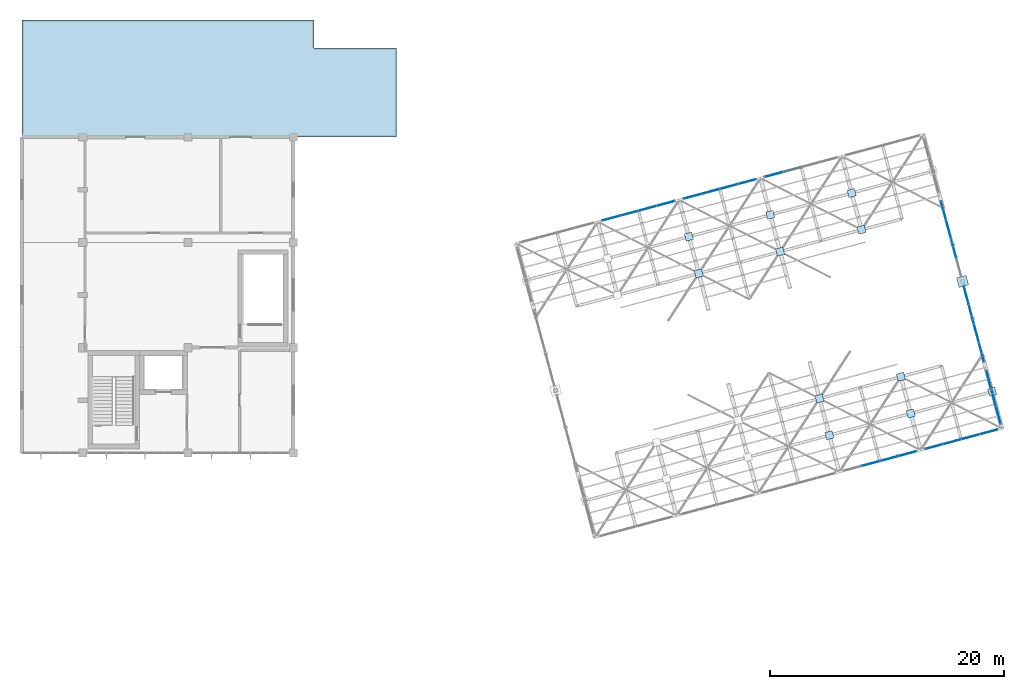
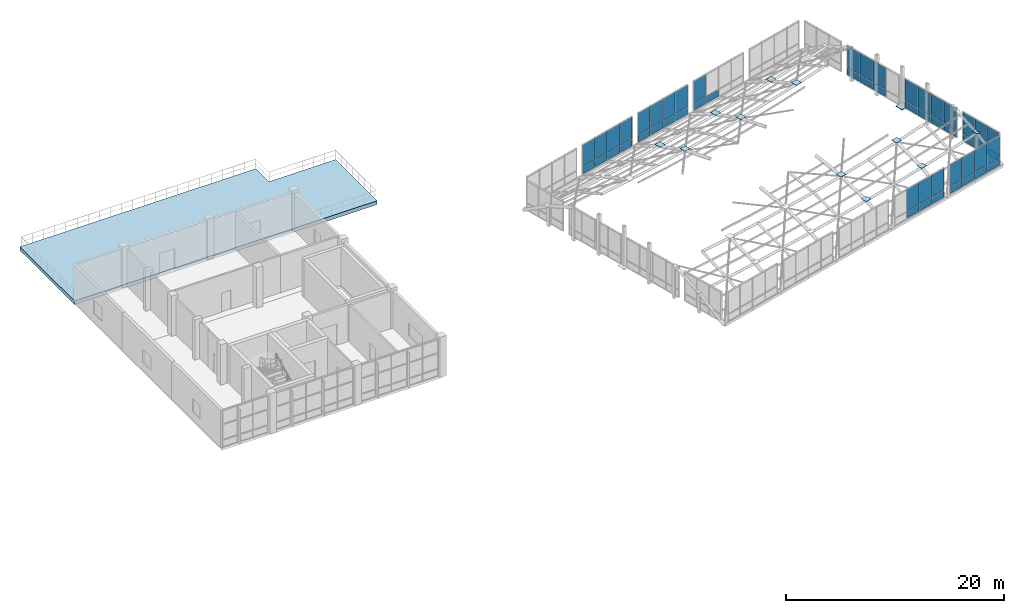
# One storey, part 24 of 29: 65 plates, 1 slab, 8 elements without a shape of their own.
"""IFC4 building model written with IfcOpenShell, lengths in metres."""

from ifc_helpers import new_model, si_unit, direction, frame, origin, origin_2d, place, context, subcontext, project, spatial, polyline, rectangle, outline, extrude, material, layer, layer_set, type_object, element, aggregate, save


model = new_model("IFC4")

# Units and contexts
model_context = context("Model", 3, precision=1e-05, world=origin(), true_north=direction((0.0, 1.0)))
body_context = subcontext(model_context, "Body", "Model", "MODEL_VIEW")
ifc_project = project(units=[si_unit("LENGTHUNIT", "METRE"), si_unit("AREAUNIT", "SQUARE_METRE"), si_unit("VOLUMEUNIT", "CUBIC_METRE"), si_unit("PLANEANGLEUNIT", "RADIAN"), si_unit("MASSUNIT", "GRAM", prefix="KILO")], contexts=[model_context])

# Site, building, storey
site_placement = place(None, origin())
site = spatial("IfcSite", under=ifc_project, at=site_placement, CompositionType="ELEMENT")
building_placement = place(site_placement, origin())
building = spatial("IfcBuilding", under=site, at=building_placement, Name="Ventoquebrada Cableway Terminal", CompositionType="ELEMENT")
storey_placement = place(building_placement, frame((0.0, 0.0, 18.89990234375)))
storey = spatial("IfcBuildingStorey", under=building, at=storey_placement, Name="L04", CompositionType="ELEMENT", Elevation=18.89990234375)

# Plate
ifc_material_1 = material(Name="Steel ASTM A572 Grade 50", Category="steel")
ifc_layer_1 = layer(ifc_material_1, 0.050048828125)
ifc_layer_set_1 = layer_set([ifc_layer_1], Name="Steel ASTM A572 Grade 50")
plate_type_1 = type_object("IfcPlateType", Name="BP-PL01", PredefinedType="SHEET", material=ifc_layer_set_1)
plate_1_placement = place(storey_placement, frame((83.386962890625, 91.658935546875, 1.10009765625), z_axis=(0.0, 0.0, 1.0), x_axis=(0.965925826289, 0.258819045103, 0.0)))
element("IfcPlate", 1, at=plate_1_placement, inside=storey, type_object=plate_type_1, Name="Heavy steel base plate BP-02", PredefinedType="SHEET", context=body_context, shape_type="SweptSolid", body=[
    extrude(rectangle(XDim=0.85009765625, YDim=0.85009765625, at=origin_2d()), origin(), (0.0, 0.0, 1.0), 0.050048828125),
])

# Curtain wall, plates
ifc_material_2 = material(Name="Anodized thermally-broken aluminium", Category="aluminium")
ifc_layer_2 = layer(ifc_material_2, 0.159912109375)
ifc_layer_set_2 = layer_set([ifc_layer_2], Name="Anodized thermally-broken aluminium")
curtain_wall_type_1 = type_object("IfcCurtainWallType", Name="CW-T45", PredefinedType="USERDEFINED", material=ifc_layer_set_2)
curtain_wall_1_placement = place(storey_placement, origin())
curtain_wall_1 = element("IfcCurtainWall", 2, at=curtain_wall_1_placement, inside=storey, type_object=curtain_wall_type_1, Name="Unitised glazed curtain wall CW-136", ObjectType="UNITISED CURTAIN WALL", PredefinedType="USERDEFINED")
ifc_material_3 = material(Name="Double low-e laminated safety glazing", Category="glass")
ifc_layer_3 = layer(ifc_material_3, 0.031982421875)
ifc_layer_set_3 = layer_set([ifc_layer_3], Name="Double low-e laminated safety glazing")
plate_type_2 = type_object("IfcPlateType", Name="CWP-GL1", PredefinedType="CURTAIN_PANEL", material=ifc_layer_set_3)
plate_2_placement = place(storey_placement, frame((75.534912109375, 76.095947265625, 1.97412109375), z_axis=(0.0, 0.0, 1.0), x_axis=(0.965903236389, 0.258903337047, 0.0)))
plate_2 = element("IfcPlate", 3, at=plate_2_placement, type_object=plate_type_2, Name="Vision glazing panel PN-1434", PredefinedType="CURTAIN_PANEL", context=body_context, shape_type="SweptSolid", body=[
    extrude(rectangle(XDim=1.5810546875, YDim=0.031982421875, at=origin_2d()), origin(), (0.0, 0.0, 1.0), 2.416015625),
])
plate_3_placement = place(storey_placement, frame((78.656982421875, 76.93310546875, 1.97412109375), z_axis=(0.0, 0.0, 1.0), x_axis=(0.965903236389, 0.258903337047, 0.0)))
plate_3 = element("IfcPlate", 4, at=plate_3_placement, type_object=plate_type_2, Name="Vision glazing panel PN-1438", PredefinedType="CURTAIN_PANEL", context=body_context, shape_type="SweptSolid", body=[
    extrude(rectangle(XDim=1.5458984375, YDim=0.031982421875, at=origin_2d()), origin(), (0.0, 0.0, 1.0), 2.416015625),
])

curtain_wall_2_placement = place(storey_placement, origin())
curtain_wall_2 = element("IfcCurtainWall", 5, at=curtain_wall_2_placement, inside=storey, type_object=curtain_wall_type_1, Name="Unitised glazed curtain wall CW-137", ObjectType="UNITISED CURTAIN WALL", PredefinedType="USERDEFINED")
plate_4_placement = place(storey_placement, frame((82.489013671875, 77.9599609375, 1.97412109375), z_axis=(0.0, 0.0, 1.0), x_axis=(0.96593486019, 0.258785327773, 0.0)))
plate_4 = element("IfcPlate", 6, at=plate_4_placement, type_object=plate_type_2, Name="Vision glazing panel PN-1442", PredefinedType="CURTAIN_PANEL", context=body_context, shape_type="SweptSolid", body=[
    extrude(rectangle(XDim=1.5810546875, YDim=0.031982421875, at=origin_2d()), origin(), (0.0, 0.0, 1.0), 2.416015625),
])
plate_5_placement = place(storey_placement, frame((85.612060546875, 78.7958984375, 1.97412109375), z_axis=(0.0, 0.0, 1.0), x_axis=(0.96593486019, 0.258785327773, 0.0)))
plate_5 = element("IfcPlate", 7, at=plate_5_placement, type_object=plate_type_2, Name="Vision glazing panel PN-1446", PredefinedType="CURTAIN_PANEL", context=body_context, shape_type="SweptSolid", body=[
    extrude(rectangle(XDim=1.5458984375, YDim=0.031982421875, at=origin_2d()), origin(), (0.0, 0.0, 1.0), 2.416015625),
])

curtain_wall_3_placement = place(storey_placement, origin())
curtain_wall_3 = element("IfcCurtainWall", 8, at=curtain_wall_3_placement, inside=storey, type_object=curtain_wall_type_1, Name="Unitised glazed curtain wall CW-139", ObjectType="UNITISED CURTAIN WALL", PredefinedType="USERDEFINED")
plate_6_placement = place(storey_placement, frame((56.465087890625, 97.904052734375, 1.97412109375), z_axis=(0.0, 0.0, 1.0), x_axis=(-0.965903236389, -0.258903337047, 0.0)))
plate_6 = element("IfcPlate", 9, at=plate_6_placement, type_object=plate_type_2, Name="Vision glazing panel PN-1458", PredefinedType="CURTAIN_PANEL", context=body_context, shape_type="SweptSolid", body=[
    extrude(rectangle(XDim=1.5810546875, YDim=0.031982421875, at=origin_2d()), origin(), (0.0, 0.0, 1.0), 2.416015625),
])
plate_7_placement = place(storey_placement, frame((53.343017578125, 97.06689453125, 1.97412109375), z_axis=(0.0, 0.0, 1.0), x_axis=(-0.965903236389, -0.258903337047, 0.0)))
plate_7 = element("IfcPlate", 10, at=plate_7_placement, type_object=plate_type_2, Name="Vision glazing panel PN-1462", PredefinedType="CURTAIN_PANEL", context=body_context, shape_type="SweptSolid", body=[
    extrude(rectangle(XDim=1.5458984375, YDim=0.031982421875, at=origin_2d()), origin(), (0.0, 0.0, 1.0), 2.416015625),
])

curtain_wall_4_placement = place(storey_placement, origin())
curtain_wall_4 = element("IfcCurtainWall", 11, at=curtain_wall_4_placement, inside=storey, type_object=curtain_wall_type_1, Name="Unitised glazed curtain wall CW-140", ObjectType="UNITISED CURTAIN WALL", PredefinedType="USERDEFINED")
plate_8_placement = place(storey_placement, frame((63.419921875, 99.76708984375, 1.97412109375), z_axis=(0.0, 0.0, 1.0), x_axis=(-0.965943892913, -0.258751610128, 0.0)))
plate_8 = element("IfcPlate", 12, at=plate_8_placement, type_object=plate_type_2, Name="Vision glazing panel PN-1466", PredefinedType="CURTAIN_PANEL", context=body_context, shape_type="SweptSolid", body=[
    extrude(rectangle(XDim=1.5810546875, YDim=0.031982421875, at=origin_2d()), origin(), (0.0, 0.0, 1.0), 2.416015625),
])
plate_9_placement = place(storey_placement, frame((60.298095703125, 98.930908203125, 1.97412109375), z_axis=(0.0, 0.0, 1.0), x_axis=(-0.965943892913, -0.258751610128, 0.0)))
plate_9 = element("IfcPlate", 13, at=plate_9_placement, type_object=plate_type_2, Name="Vision glazing panel PN-1470", PredefinedType="CURTAIN_PANEL", context=body_context, shape_type="SweptSolid", body=[
    extrude(rectangle(XDim=1.5458984375, YDim=0.031982421875, at=origin_2d()), origin(), (0.0, 0.0, 1.0), 2.416015625),
])

# Curtain wall, plate
curtain_wall_5_placement = place(storey_placement, origin())
curtain_wall_5 = element("IfcCurtainWall", 14, at=curtain_wall_5_placement, inside=storey, type_object=curtain_wall_type_1, Name="Unitised glazed curtain wall CW-141", ObjectType="UNITISED CURTAIN WALL", PredefinedType="USERDEFINED")
plate_10_placement = place(storey_placement, frame((67.251953125, 100.7939453125, 1.97412109375), z_axis=(0.0, 0.0, 1.0), x_axis=(-0.965894198369, -0.258937053273, 0.0)))
plate_10 = element("IfcPlate", 15, at=plate_10_placement, type_object=plate_type_2, Name="Vision glazing panel PN-1478", PredefinedType="CURTAIN_PANEL", context=body_context, shape_type="SweptSolid", body=[
    extrude(rectangle(XDim=1.5458984375, YDim=0.031982421875, at=origin_2d()), origin(), (0.0, 0.0, 1.0), 2.416015625),
])

ifc_layer_4 = layer(ifc_material_2, 0.159912109375)
ifc_layer_set_4 = layer_set([ifc_layer_4], Name="Anodized thermally-broken aluminium")
curtain_wall_type_2 = type_object("IfcCurtainWallType", Name="CW-T46", PredefinedType="USERDEFINED", material=ifc_layer_set_4)
curtain_wall_6_placement = place(storey_placement, origin())
curtain_wall_6 = element("IfcCurtainWall", 16, at=curtain_wall_6_placement, inside=storey, type_object=curtain_wall_type_2, Name="Unitised glazed curtain wall CW-147", ObjectType="UNITISED CURTAIN WALL", PredefinedType="USERDEFINED")
plate_11_placement = place(storey_placement, frame((86.0400390625, 81.758056640625, 1.97412109375), z_axis=(0.0, 0.0, 1.0), x_axis=(-0.258970769183, 0.965885159172, 0.0)))
plate_11 = element("IfcPlate", 17, at=plate_11_placement, type_object=plate_type_2, Name="Vision glazing panel PN-1518", PredefinedType="CURTAIN_PANEL", context=body_context, shape_type="SweptSolid", body=[
    extrude(rectangle(XDim=1.555908203125, YDim=0.031982421875, at=origin_2d()), origin(), (0.0, 0.0, 1.0), 2.416015625),
])

# Curtain wall, plates
ifc_layer_5 = layer(ifc_material_2, 0.159912109375)
ifc_layer_set_5 = layer_set([ifc_layer_5], Name="Anodized thermally-broken aluminium")
curtain_wall_type_3 = type_object("IfcCurtainWallType", Name="CW-T47", PredefinedType="USERDEFINED", material=ifc_layer_set_5)
curtain_wall_7_placement = place(storey_placement, origin())
curtain_wall_7 = element("IfcCurtainWall", 18, at=curtain_wall_7_placement, inside=storey, type_object=curtain_wall_type_3, Name="Unitised glazed curtain wall CW-148", ObjectType="UNITISED CURTAIN WALL", PredefinedType="USERDEFINED")
plate_12_placement = place(storey_placement, frame((84.576904296875, 87.215087890625, 1.97412109375), z_axis=(0.0, 0.0, 1.0), x_axis=(-0.258802186477, 0.965930343386, 0.0)))
plate_12 = element("IfcPlate", 19, at=plate_12_placement, type_object=plate_type_2, Name="Vision glazing panel PN-1524", PredefinedType="CURTAIN_PANEL", context=body_context, shape_type="SweptSolid", body=[
    extrude(rectangle(XDim=1.656005859375, YDim=0.031982421875, at=origin_2d()), origin(), (0.0, 0.0, 1.0), 2.416015625),
])
plate_13_placement = place(storey_placement, frame((83.701904296875, 90.48291015625, 1.97412109375), z_axis=(0.0, 0.0, 1.0), x_axis=(-0.258802186477, 0.965930343386, 0.0)))
plate_13 = element("IfcPlate", 20, at=plate_13_placement, type_object=plate_type_2, Name="Vision glazing panel PN-1528", PredefinedType="CURTAIN_PANEL", context=body_context, shape_type="SweptSolid", body=[
    extrude(rectangle(XDim=1.62109375, YDim=0.031982421875, at=origin_2d()), origin(), (0.0, 0.0, 1.0), 2.416015625),
])

curtain_wall_8_placement = place(storey_placement, origin())
curtain_wall_8 = element("IfcCurtainWall", 21, at=curtain_wall_8_placement, inside=storey, type_object=curtain_wall_type_3, Name="Unitised glazed curtain wall CW-149", ObjectType="UNITISED CURTAIN WALL", PredefinedType="USERDEFINED")
plate_14_placement = place(storey_placement, frame((82.635986328125, 94.4599609375, 1.97412109375), z_axis=(0.0, 0.0, 1.0), x_axis=(-0.258835903649, 0.965921308897, 0.0)))
plate_14 = element("IfcPlate", 22, at=plate_14_placement, type_object=plate_type_2, Name="Vision glazing panel PN-1532", PredefinedType="CURTAIN_PANEL", context=body_context, shape_type="SweptSolid", body=[
    extrude(rectangle(XDim=1.656005859375, YDim=0.031982421875, at=origin_2d()), origin(), (0.0, 0.0, 1.0), 2.416015625),
])
plate_15_placement = place(storey_placement, frame((81.760986328125, 97.72705078125, 1.97412109375), z_axis=(0.0, 0.0, 1.0), x_axis=(-0.258835903649, 0.965921308897, 0.0)))
plate_15 = element("IfcPlate", 23, at=plate_15_placement, type_object=plate_type_2, Name="Vision glazing panel PN-1536", PredefinedType="CURTAIN_PANEL", context=body_context, shape_type="SweptSolid", body=[
    extrude(rectangle(XDim=1.62109375, YDim=0.031982421875, at=origin_2d()), origin(), (0.0, 0.0, 1.0), 2.416015625),
])

# Plate
ifc_layer_6 = layer(ifc_material_3, 0.0380859375)
ifc_layer_set_6 = layer_set([ifc_layer_6], Name="Double low-e laminated safety glazing")
plate_type_3 = type_object("IfcPlateType", Name="CWP-GL2", PredefinedType="CURTAIN_PANEL", material=ifc_layer_set_6)
plate_16_placement = place(storey_placement, frame((77.10498046875, 76.51708984375, 1.97412109375), z_axis=(0.0, 0.0, 1.0), x_axis=(0.965903236389, 0.258903337047, 0.0)))
plate_16 = element("IfcPlate", 24, at=plate_16_placement, type_object=plate_type_3, Name="Vision glazing panel PN-1436", PredefinedType="CURTAIN_PANEL", context=body_context, shape_type="SweptSolid", body=[
    extrude(rectangle(XDim=1.5810546875, YDim=0.0380859375, at=origin_2d()), origin(), (0.0, 0.0, 1.0), 2.416015625),
])

plate_17_placement = place(storey_placement, frame((80.93603515625, 77.5439453125, 1.97412109375), z_axis=(0.0, 0.0, 1.0), x_axis=(0.96593486019, 0.258785327773, 0.0)))
plate_17 = element("IfcPlate", 25, at=plate_17_placement, type_object=plate_type_3, Name="Vision glazing panel PN-1440", PredefinedType="CURTAIN_PANEL", context=body_context, shape_type="SweptSolid", body=[
    extrude(rectangle(XDim=1.5458984375, YDim=0.0380859375, at=origin_2d()), origin(), (0.0, 0.0, 1.0), 2.416015625),
])

plate_18_placement = place(storey_placement, frame((84.05908203125, 78.3798828125, 1.97412109375), z_axis=(0.0, 0.0, 1.0), x_axis=(0.96593486019, 0.258785327773, 0.0)))
plate_18 = element("IfcPlate", 26, at=plate_18_placement, type_object=plate_type_3, Name="Vision glazing panel PN-1444", PredefinedType="CURTAIN_PANEL", context=body_context, shape_type="SweptSolid", body=[
    extrude(rectangle(XDim=1.5810546875, YDim=0.0380859375, at=origin_2d()), origin(), (0.0, 0.0, 1.0), 2.416015625),
])

plate_19_placement = place(storey_placement, frame((58.01806640625, 98.320068359375, 1.97412109375), z_axis=(0.0, 0.0, 1.0), x_axis=(-0.965903236389, -0.258903337047, 0.0)))
plate_19 = element("IfcPlate", 27, at=plate_19_placement, type_object=plate_type_3, Name="Vision glazing panel PN-1456", PredefinedType="CURTAIN_PANEL", context=body_context, shape_type="SweptSolid", body=[
    extrude(rectangle(XDim=1.5458984375, YDim=0.0380859375, at=origin_2d()), origin(), (0.0, 0.0, 1.0), 2.416015625),
])

plate_20_placement = place(storey_placement, frame((54.89501953125, 97.48291015625, 1.97412109375), z_axis=(0.0, 0.0, 1.0), x_axis=(-0.965903236389, -0.258903337047, 0.0)))
plate_20 = element("IfcPlate", 28, at=plate_20_placement, type_object=plate_type_3, Name="Vision glazing panel PN-1460", PredefinedType="CURTAIN_PANEL", context=body_context, shape_type="SweptSolid", body=[
    extrude(rectangle(XDim=1.5810546875, YDim=0.0380859375, at=origin_2d()), origin(), (0.0, 0.0, 1.0), 2.416015625),
])

plate_21_placement = place(storey_placement, frame((64.972900390625, 100.18310546875, 1.97412109375), z_axis=(0.0, 0.0, 1.0), x_axis=(-0.965943892913, -0.258751610128, 0.0)))
plate_21 = element("IfcPlate", 29, at=plate_21_placement, type_object=plate_type_3, Name="Vision glazing panel PN-1464", PredefinedType="CURTAIN_PANEL", context=body_context, shape_type="SweptSolid", body=[
    extrude(rectangle(XDim=1.5458984375, YDim=0.0380859375, at=origin_2d()), origin(), (0.0, 0.0, 1.0), 2.416015625),
])

plate_22_placement = place(storey_placement, frame((61.85009765625, 99.346923828125, 1.97412109375), z_axis=(0.0, 0.0, 1.0), x_axis=(-0.965943892913, -0.258751610128, 0.0)))
plate_22 = element("IfcPlate", 30, at=plate_22_placement, type_object=plate_type_3, Name="Vision glazing panel PN-1468", PredefinedType="CURTAIN_PANEL", context=body_context, shape_type="SweptSolid", body=[
    extrude(rectangle(XDim=1.5810546875, YDim=0.0380859375, at=origin_2d()), origin(), (0.0, 0.0, 1.0), 2.416015625),
])

plate_23_placement = place(storey_placement, frame((86.448974609375, 80.22998046875, 1.97412109375), z_axis=(0.0, 0.0, 1.0), x_axis=(-0.258970769183, 0.965885159172, 0.0)))
plate_23 = element("IfcPlate", 31, at=plate_23_placement, type_object=plate_type_3, Name="Vision glazing panel PN-1516", PredefinedType="CURTAIN_PANEL", context=body_context, shape_type="SweptSolid", body=[
    extrude(rectangle(XDim=1.52099609375, YDim=0.0380859375, at=origin_2d()), origin(), (0.0, 0.0, 1.0), 2.416015625),
])

plate_24_placement = place(storey_placement, frame((85.6298828125, 83.287109375, 1.97412109375), z_axis=(0.0, 0.0, 1.0), x_axis=(-0.258970769183, 0.965885159172, 0.0)))
plate_24 = element("IfcPlate", 32, at=plate_24_placement, type_object=plate_type_3, Name="Vision glazing panel PN-1520", PredefinedType="CURTAIN_PANEL", context=body_context, shape_type="SweptSolid", body=[
    extrude(rectangle(XDim=1.52099609375, YDim=0.0380859375, at=origin_2d()), origin(), (0.0, 0.0, 1.0), 2.416015625),
])

plate_25_placement = place(storey_placement, frame((85.011962890625, 85.590087890625, 1.97412109375), z_axis=(0.0, 0.0, 1.0), x_axis=(-0.258802186477, 0.965930343386, 0.0)))
plate_25 = element("IfcPlate", 33, at=plate_25_placement, type_object=plate_type_3, Name="Vision glazing panel PN-1522", PredefinedType="CURTAIN_PANEL", context=body_context, shape_type="SweptSolid", body=[
    extrude(rectangle(XDim=1.62109375, YDim=0.0380859375, at=origin_2d()), origin(), (0.0, 0.0, 1.0), 2.416015625),
])

plate_26_placement = place(storey_placement, frame((84.136962890625, 88.85791015625, 1.97412109375), z_axis=(0.0, 0.0, 1.0), x_axis=(-0.258802186477, 0.965930343386, 0.0)))
plate_26 = element("IfcPlate", 34, at=plate_26_placement, type_object=plate_type_3, Name="Vision glazing panel PN-1526", PredefinedType="CURTAIN_PANEL", context=body_context, shape_type="SweptSolid", body=[
    extrude(rectangle(XDim=1.656005859375, YDim=0.0380859375, at=origin_2d()), origin(), (0.0, 0.0, 1.0), 2.416015625),
])

plate_27_placement = place(storey_placement, frame((82.196044921875, 96.10205078125, 1.97412109375), z_axis=(0.0, 0.0, 1.0), x_axis=(-0.258835903649, 0.965921308897, 0.0)))
plate_27 = element("IfcPlate", 35, at=plate_27_placement, type_object=plate_type_3, Name="Vision glazing panel PN-1534", PredefinedType="CURTAIN_PANEL", context=body_context, shape_type="SweptSolid", body=[
    extrude(rectangle(XDim=1.656005859375, YDim=0.0380859375, at=origin_2d()), origin(), (0.0, 0.0, 1.0), 2.416015625),
])

ifc_material_4 = material(Name="Insulated aluminium spandrel cassette", Category="aluminium")
ifc_layer_7 = layer(ifc_material_4, 0.044921875)
ifc_layer_set_7 = layer_set([ifc_layer_7], Name="Insulated aluminium spandrel cassette")
plate_type_4 = type_object("IfcPlateType", Name="CWP-SP1", PredefinedType="CURTAIN_PANEL", material=ifc_layer_set_7)
plate_28_placement = place(storey_placement, frame((75.534912109375, 76.095947265625, 1.16015625), z_axis=(0.0, 0.0, 1.0), x_axis=(0.965903236389, 0.258903337047, 0.0)))
plate_28 = element("IfcPlate", 36, at=plate_28_placement, type_object=plate_type_4, Name="Insulated spandrel panel PN-1433", PredefinedType="CURTAIN_PANEL", context=body_context, shape_type="SweptSolid", body=[
    extrude(rectangle(XDim=1.5810546875, YDim=0.044921875, at=origin_2d()), origin(), (0.0, 0.0, 1.0), 0.756103515625),
])

plate_29_placement = place(storey_placement, frame((77.10498046875, 76.51708984375, 1.16015625), z_axis=(0.0, 0.0, 1.0), x_axis=(0.965903236389, 0.258903337047, 0.0)))
plate_29 = element("IfcPlate", 37, at=plate_29_placement, type_object=plate_type_4, Name="Insulated spandrel panel PN-1435", PredefinedType="CURTAIN_PANEL", context=body_context, shape_type="SweptSolid", body=[
    extrude(rectangle(XDim=1.5810546875, YDim=0.044921875, at=origin_2d()), origin(), (0.0, 0.0, 1.0), 0.756103515625),
])

plate_30_placement = place(storey_placement, frame((78.656982421875, 76.93310546875, 1.16015625), z_axis=(0.0, 0.0, 1.0), x_axis=(0.965903236389, 0.258903337047, 0.0)))
plate_30 = element("IfcPlate", 38, at=plate_30_placement, type_object=plate_type_4, Name="Insulated spandrel panel PN-1437", PredefinedType="CURTAIN_PANEL", context=body_context, shape_type="SweptSolid", body=[
    extrude(rectangle(XDim=1.5458984375, YDim=0.044921875, at=origin_2d()), origin(), (0.0, 0.0, 1.0), 0.756103515625),
])

aggregate(curtain_wall_1, [plate_28, plate_2, plate_29, plate_16, plate_30, plate_3])

plate_31_placement = place(storey_placement, frame((80.93603515625, 77.5439453125, 1.16015625), z_axis=(0.0, 0.0, 1.0), x_axis=(0.96593486019, 0.258785327773, 0.0)))
plate_31 = element("IfcPlate", 39, at=plate_31_placement, type_object=plate_type_4, Name="Insulated spandrel panel PN-1439", PredefinedType="CURTAIN_PANEL", context=body_context, shape_type="SweptSolid", body=[
    extrude(rectangle(XDim=1.5458984375, YDim=0.044921875, at=origin_2d()), origin(), (0.0, 0.0, 1.0), 0.756103515625),
])

plate_32_placement = place(storey_placement, frame((82.489013671875, 77.9599609375, 1.16015625), z_axis=(0.0, 0.0, 1.0), x_axis=(0.96593486019, 0.258785327773, 0.0)))
plate_32 = element("IfcPlate", 40, at=plate_32_placement, type_object=plate_type_4, Name="Insulated spandrel panel PN-1441", PredefinedType="CURTAIN_PANEL", context=body_context, shape_type="SweptSolid", body=[
    extrude(rectangle(XDim=1.5810546875, YDim=0.044921875, at=origin_2d()), origin(), (0.0, 0.0, 1.0), 0.756103515625),
])

plate_33_placement = place(storey_placement, frame((84.05908203125, 78.3798828125, 1.16015625), z_axis=(0.0, 0.0, 1.0), x_axis=(0.96593486019, 0.258785327773, 0.0)))
plate_33 = element("IfcPlate", 41, at=plate_33_placement, type_object=plate_type_4, Name="Insulated spandrel panel PN-1443", PredefinedType="CURTAIN_PANEL", context=body_context, shape_type="SweptSolid", body=[
    extrude(rectangle(XDim=1.5810546875, YDim=0.044921875, at=origin_2d()), origin(), (0.0, 0.0, 1.0), 0.756103515625),
])

plate_34_placement = place(storey_placement, frame((85.612060546875, 78.7958984375, 1.16015625), z_axis=(0.0, 0.0, 1.0), x_axis=(0.96593486019, 0.258785327773, 0.0)))
plate_34 = element("IfcPlate", 42, at=plate_34_placement, type_object=plate_type_4, Name="Insulated spandrel panel PN-1445", PredefinedType="CURTAIN_PANEL", context=body_context, shape_type="SweptSolid", body=[
    extrude(rectangle(XDim=1.5458984375, YDim=0.044921875, at=origin_2d()), origin(), (0.0, 0.0, 1.0), 0.756103515625),
])

aggregate(curtain_wall_2, [plate_31, plate_17, plate_32, plate_4, plate_33, plate_18, plate_34, plate_5])

plate_35_placement = place(storey_placement, frame((58.01806640625, 98.320068359375, 1.16015625), z_axis=(0.0, 0.0, 1.0), x_axis=(-0.965903236389, -0.258903337047, 0.0)))
plate_35 = element("IfcPlate", 43, at=plate_35_placement, type_object=plate_type_4, Name="Insulated spandrel panel PN-1455", PredefinedType="CURTAIN_PANEL", context=body_context, shape_type="SweptSolid", body=[
    extrude(rectangle(XDim=1.5458984375, YDim=0.044921875, at=origin_2d()), origin(), (0.0, 0.0, 1.0), 0.756103515625),
])

plate_36_placement = place(storey_placement, frame((56.465087890625, 97.904052734375, 1.16015625), z_axis=(0.0, 0.0, 1.0), x_axis=(-0.965903236389, -0.258903337047, 0.0)))
plate_36 = element("IfcPlate", 44, at=plate_36_placement, type_object=plate_type_4, Name="Insulated spandrel panel PN-1457", PredefinedType="CURTAIN_PANEL", context=body_context, shape_type="SweptSolid", body=[
    extrude(rectangle(XDim=1.5810546875, YDim=0.044921875, at=origin_2d()), origin(), (0.0, 0.0, 1.0), 0.756103515625),
])

plate_37_placement = place(storey_placement, frame((54.89501953125, 97.48291015625, 1.16015625), z_axis=(0.0, 0.0, 1.0), x_axis=(-0.965903236389, -0.258903337047, 0.0)))
plate_37 = element("IfcPlate", 45, at=plate_37_placement, type_object=plate_type_4, Name="Insulated spandrel panel PN-1459", PredefinedType="CURTAIN_PANEL", context=body_context, shape_type="SweptSolid", body=[
    extrude(rectangle(XDim=1.5810546875, YDim=0.044921875, at=origin_2d()), origin(), (0.0, 0.0, 1.0), 0.756103515625),
])

plate_38_placement = place(storey_placement, frame((53.343017578125, 97.06689453125, 1.16015625), z_axis=(0.0, 0.0, 1.0), x_axis=(-0.965903236389, -0.258903337047, 0.0)))
plate_38 = element("IfcPlate", 46, at=plate_38_placement, type_object=plate_type_4, Name="Insulated spandrel panel PN-1461", PredefinedType="CURTAIN_PANEL", context=body_context, shape_type="SweptSolid", body=[
    extrude(rectangle(XDim=1.5458984375, YDim=0.044921875, at=origin_2d()), origin(), (0.0, 0.0, 1.0), 0.756103515625),
])

aggregate(curtain_wall_3, [plate_35, plate_19, plate_36, plate_6, plate_37, plate_20, plate_38, plate_7])

plate_39_placement = place(storey_placement, frame((64.972900390625, 100.18310546875, 1.16015625), z_axis=(0.0, 0.0, 1.0), x_axis=(-0.965943892913, -0.258751610128, 0.0)))
plate_39 = element("IfcPlate", 47, at=plate_39_placement, type_object=plate_type_4, Name="Insulated spandrel panel PN-1463", PredefinedType="CURTAIN_PANEL", context=body_context, shape_type="SweptSolid", body=[
    extrude(rectangle(XDim=1.5458984375, YDim=0.044921875, at=origin_2d()), origin(), (0.0, 0.0, 1.0), 0.756103515625),
])

plate_40_placement = place(storey_placement, frame((63.419921875, 99.76708984375, 1.16015625), z_axis=(0.0, 0.0, 1.0), x_axis=(-0.965943892913, -0.258751610128, 0.0)))
plate_40 = element("IfcPlate", 48, at=plate_40_placement, type_object=plate_type_4, Name="Insulated spandrel panel PN-1465", PredefinedType="CURTAIN_PANEL", context=body_context, shape_type="SweptSolid", body=[
    extrude(rectangle(XDim=1.5810546875, YDim=0.044921875, at=origin_2d()), origin(), (0.0, 0.0, 1.0), 0.756103515625),
])

plate_41_placement = place(storey_placement, frame((61.85009765625, 99.346923828125, 1.16015625), z_axis=(0.0, 0.0, 1.0), x_axis=(-0.965943892913, -0.258751610128, 0.0)))
plate_41 = element("IfcPlate", 49, at=plate_41_placement, type_object=plate_type_4, Name="Insulated spandrel panel PN-1467", PredefinedType="CURTAIN_PANEL", context=body_context, shape_type="SweptSolid", body=[
    extrude(rectangle(XDim=1.5810546875, YDim=0.044921875, at=origin_2d()), origin(), (0.0, 0.0, 1.0), 0.756103515625),
])

plate_42_placement = place(storey_placement, frame((60.298095703125, 98.930908203125, 1.16015625), z_axis=(0.0, 0.0, 1.0), x_axis=(-0.965943892913, -0.258751610128, 0.0)))
plate_42 = element("IfcPlate", 50, at=plate_42_placement, type_object=plate_type_4, Name="Insulated spandrel panel PN-1469", PredefinedType="CURTAIN_PANEL", context=body_context, shape_type="SweptSolid", body=[
    extrude(rectangle(XDim=1.5458984375, YDim=0.044921875, at=origin_2d()), origin(), (0.0, 0.0, 1.0), 0.756103515625),
])

aggregate(curtain_wall_4, [plate_39, plate_21, plate_40, plate_8, plate_41, plate_22, plate_42, plate_9])

plate_43_placement = place(storey_placement, frame((68.804931640625, 101.2099609375, 1.16015625), z_axis=(0.0, 0.0, 1.0), x_axis=(-0.965894198369, -0.258937053273, 0.0)))
plate_43 = element("IfcPlate", 51, at=plate_43_placement, type_object=plate_type_4, Name="Insulated spandrel panel PN-1475", PredefinedType="CURTAIN_PANEL", context=body_context, shape_type="SweptSolid", body=[
    extrude(rectangle(XDim=1.5810546875, YDim=0.044921875, at=origin_2d()), origin(), (0.0, 0.0, 1.0), 0.756103515625),
])

plate_44_placement = place(storey_placement, frame((67.251953125, 100.7939453125, 1.16015625), z_axis=(0.0, 0.0, 1.0), x_axis=(-0.965894198369, -0.258937053273, 0.0)))
plate_44 = element("IfcPlate", 52, at=plate_44_placement, type_object=plate_type_4, Name="Insulated spandrel panel PN-1477", PredefinedType="CURTAIN_PANEL", context=body_context, shape_type="SweptSolid", body=[
    extrude(rectangle(XDim=1.5458984375, YDim=0.044921875, at=origin_2d()), origin(), (0.0, 0.0, 1.0), 0.756103515625),
])

aggregate(curtain_wall_5, [plate_43, plate_44, plate_10])

plate_45_placement = place(storey_placement, frame((86.448974609375, 80.22998046875, 1.16015625), z_axis=(0.0, 0.0, 1.0), x_axis=(-0.258970769183, 0.965885159172, 0.0)))
plate_45 = element("IfcPlate", 53, at=plate_45_placement, type_object=plate_type_4, Name="Insulated spandrel panel PN-1515", PredefinedType="CURTAIN_PANEL", context=body_context, shape_type="SweptSolid", body=[
    extrude(rectangle(XDim=1.52099609375, YDim=0.044921875, at=origin_2d()), origin(), (0.0, 0.0, 1.0), 0.756103515625),
])

plate_46_placement = place(storey_placement, frame((86.0400390625, 81.758056640625, 1.16015625), z_axis=(0.0, 0.0, 1.0), x_axis=(-0.258970769183, 0.965885159172, 0.0)))
plate_46 = element("IfcPlate", 54, at=plate_46_placement, type_object=plate_type_4, Name="Insulated spandrel panel PN-1517", PredefinedType="CURTAIN_PANEL", context=body_context, shape_type="SweptSolid", body=[
    extrude(rectangle(XDim=1.555908203125, YDim=0.044921875, at=origin_2d()), origin(), (0.0, 0.0, 1.0), 0.756103515625),
])

plate_47_placement = place(storey_placement, frame((85.6298828125, 83.287109375, 1.16015625), z_axis=(0.0, 0.0, 1.0), x_axis=(-0.258970769183, 0.965885159172, 0.0)))
plate_47 = element("IfcPlate", 55, at=plate_47_placement, type_object=plate_type_4, Name="Insulated spandrel panel PN-1519", PredefinedType="CURTAIN_PANEL", context=body_context, shape_type="SweptSolid", body=[
    extrude(rectangle(XDim=1.52099609375, YDim=0.044921875, at=origin_2d()), origin(), (0.0, 0.0, 1.0), 0.756103515625),
])

aggregate(curtain_wall_6, [plate_45, plate_23, plate_46, plate_11, plate_47, plate_24])

plate_48_placement = place(storey_placement, frame((85.011962890625, 85.590087890625, 1.16015625), z_axis=(0.0, 0.0, 1.0), x_axis=(-0.258802186477, 0.965930343386, 0.0)))
plate_48 = element("IfcPlate", 56, at=plate_48_placement, type_object=plate_type_4, Name="Insulated spandrel panel PN-1521", PredefinedType="CURTAIN_PANEL", context=body_context, shape_type="SweptSolid", body=[
    extrude(rectangle(XDim=1.62109375, YDim=0.044921875, at=origin_2d()), origin(), (0.0, 0.0, 1.0), 0.756103515625),
])

plate_49_placement = place(storey_placement, frame((84.576904296875, 87.215087890625, 1.16015625), z_axis=(0.0, 0.0, 1.0), x_axis=(-0.258802186477, 0.965930343386, 0.0)))
plate_49 = element("IfcPlate", 57, at=plate_49_placement, type_object=plate_type_4, Name="Insulated spandrel panel PN-1523", PredefinedType="CURTAIN_PANEL", context=body_context, shape_type="SweptSolid", body=[
    extrude(rectangle(XDim=1.656005859375, YDim=0.044921875, at=origin_2d()), origin(), (0.0, 0.0, 1.0), 0.756103515625),
])

plate_50_placement = place(storey_placement, frame((84.136962890625, 88.85791015625, 1.16015625), z_axis=(0.0, 0.0, 1.0), x_axis=(-0.258802186477, 0.965930343386, 0.0)))
plate_50 = element("IfcPlate", 58, at=plate_50_placement, type_object=plate_type_4, Name="Insulated spandrel panel PN-1525", PredefinedType="CURTAIN_PANEL", context=body_context, shape_type="SweptSolid", body=[
    extrude(rectangle(XDim=1.656005859375, YDim=0.044921875, at=origin_2d()), origin(), (0.0, 0.0, 1.0), 0.756103515625),
])

plate_51_placement = place(storey_placement, frame((83.701904296875, 90.48291015625, 1.16015625), z_axis=(0.0, 0.0, 1.0), x_axis=(-0.258802186477, 0.965930343386, 0.0)))
plate_51 = element("IfcPlate", 59, at=plate_51_placement, type_object=plate_type_4, Name="Insulated spandrel panel PN-1527", PredefinedType="CURTAIN_PANEL", context=body_context, shape_type="SweptSolid", body=[
    extrude(rectangle(XDim=1.62109375, YDim=0.044921875, at=origin_2d()), origin(), (0.0, 0.0, 1.0), 0.756103515625),
])

aggregate(curtain_wall_7, [plate_48, plate_25, plate_49, plate_12, plate_50, plate_26, plate_51, plate_13])

plate_52_placement = place(storey_placement, frame((82.635986328125, 94.4599609375, 1.16015625), z_axis=(0.0, 0.0, 1.0), x_axis=(-0.258835903649, 0.965921308897, 0.0)))
plate_52 = element("IfcPlate", 60, at=plate_52_placement, type_object=plate_type_4, Name="Insulated spandrel panel PN-1531", PredefinedType="CURTAIN_PANEL", context=body_context, shape_type="SweptSolid", body=[
    extrude(rectangle(XDim=1.656005859375, YDim=0.044921875, at=origin_2d()), origin(), (0.0, 0.0, 1.0), 0.756103515625),
])

plate_53_placement = place(storey_placement, frame((82.196044921875, 96.10205078125, 1.16015625), z_axis=(0.0, 0.0, 1.0), x_axis=(-0.258835903649, 0.965921308897, 0.0)))
plate_53 = element("IfcPlate", 61, at=plate_53_placement, type_object=plate_type_4, Name="Insulated spandrel panel PN-1533", PredefinedType="CURTAIN_PANEL", context=body_context, shape_type="SweptSolid", body=[
    extrude(rectangle(XDim=1.656005859375, YDim=0.044921875, at=origin_2d()), origin(), (0.0, 0.0, 1.0), 0.756103515625),
])

plate_54_placement = place(storey_placement, frame((81.760986328125, 97.72705078125, 1.16015625), z_axis=(0.0, 0.0, 1.0), x_axis=(-0.258835903649, 0.965921308897, 0.0)))
plate_54 = element("IfcPlate", 62, at=plate_54_placement, type_object=plate_type_4, Name="Insulated spandrel panel PN-1535", PredefinedType="CURTAIN_PANEL", context=body_context, shape_type="SweptSolid", body=[
    extrude(rectangle(XDim=1.62109375, YDim=0.044921875, at=origin_2d()), origin(), (0.0, 0.0, 1.0), 0.756103515625),
])

aggregate(curtain_wall_8, [plate_52, plate_14, plate_53, plate_27, plate_54, plate_15])

# Plates
ifc_layer_8 = layer(ifc_material_1, 0.030029296875)
ifc_layer_set_8 = layer_set([ifc_layer_8], Name="Steel ASTM A572 Grade 50")
plate_type_5 = type_object("IfcPlateType", Name="ND-PL01", PredefinedType="SHEET", material=ifc_layer_set_8)
for number, where, z_axis, x_axis, name in (
    (63, (60.840087890625, 92.346923828125, 3.8271484375), (0.0, 0.0, 1.0), (0.965925826289, 0.258819045103, 0.0), "Gridshell welded node cap plate ND-020"),
    (64, (59.9990234375, 95.486083984375, 2.68896484375), (0.0, 0.0, 1.0), (0.965925826289, 0.258819045103, 0.0), "Gridshell welded node cap plate ND-021"),
    (65, (72.0009765625, 78.513916015625, 2.68896484375), (0.0, 0.0, 1.0), (0.965925826289, 0.258819045103, 0.0), "Gridshell welded node cap plate ND-022"),
    (66, (71.159912109375, 81.653076171875, 3.8271484375), (0.0, 0.0, 1.0), (0.965925826289, 0.258819045103, 0.0), "Gridshell welded node cap plate ND-023"),
    (67, (67.794921875, 94.2099609375, 3.8271484375), (0.0, 0.0, 1.0), (0.965925826289, 0.258819045103, 0.0), "Gridshell welded node cap plate ND-027"),
    (68, (66.9541015625, 97.35009765625, 2.68896484375), (0.0, 0.0, 1.0), (0.965925826289, 0.258819045103, 0.0), "Gridshell welded node cap plate ND-028"),
    (69, (78.955078125, 80.376953125, 2.83984375), (0.0, 0.0, 1.0), (0.965925826289, 0.258819045103, 0.0), "Gridshell welded node cap plate ND-029"),
    (70, (78.114013671875, 83.51708984375, 4.0869140625), (0.0, 0.0, 1.0), (0.965925826289, 0.258819045103, 0.0), "Gridshell welded node cap plate ND-030"),
    (71, (74.75, 96.073974609375, 4.0869140625), (0.0, 0.0, 1.0), (0.965925826289, 0.258819045103, 0.0), "Gridshell welded node cap plate ND-034"),
    (72, (73.908935546875, 99.212890625, 2.83984375), (0.0, 0.0, 1.0), (0.965925826289, 0.258819045103, 0.0), "Gridshell welded node cap plate ND-035"),
    (73, (85.909912109375, 82.240966796875, 3.14208984375), (0.0, 0.0, 1.0), (0.965925826289, 0.258819045103, 0.0), "Gridshell welded node cap plate ND-036"),
):
    element("IfcPlate", number, at=place(storey_placement, frame(where, z_axis=z_axis, x_axis=x_axis)), inside=storey, type_object=plate_type_5, Name=name, PredefinedType="SHEET", context=body_context, shape_type="SweptSolid", body=[
        extrude(rectangle(XDim=0.64990234375, YDim=0.64990234375, at=origin_2d()), origin(), (0.0, 0.0, 1.0), 0.030029296875),
    ])

# Slab
ifc_material_5 = material(Name="Concrete C40/50", Category="concrete")
ifc_layer_9 = layer(ifc_material_5, 0.419921875)
ifc_layer_set_9 = layer_set([ifc_layer_9], Name="Concrete C40/50")
slab_type = type_object("IfcSlabType", Name="SL-TR1", PredefinedType="FLOOR", material=ifc_layer_set_9)
slab_placement = place(storey_placement, frame((0.0, 0.0, -0.419921875)))
element("IfcSlab", 74, at=slab_placement, inside=storey, type_object=slab_type, Name="Outdoor belvedere terrace slab SL-066", PredefinedType="FLOOR", context=body_context, shape_type="SweptSolid", body=[
    extrude(outline(polyline([(35.0, 111.60009765625), (27.9599609375, 111.60009765625), (27.9599609375, 114.0), (3.0, 114.0), (3.0, 104.0), (35.0, 104.0), (35.0, 111.60009765625)])), origin(), (0.0, 0.0, 1.0), 0.419921875),
])

save(model, "model.ifc")
